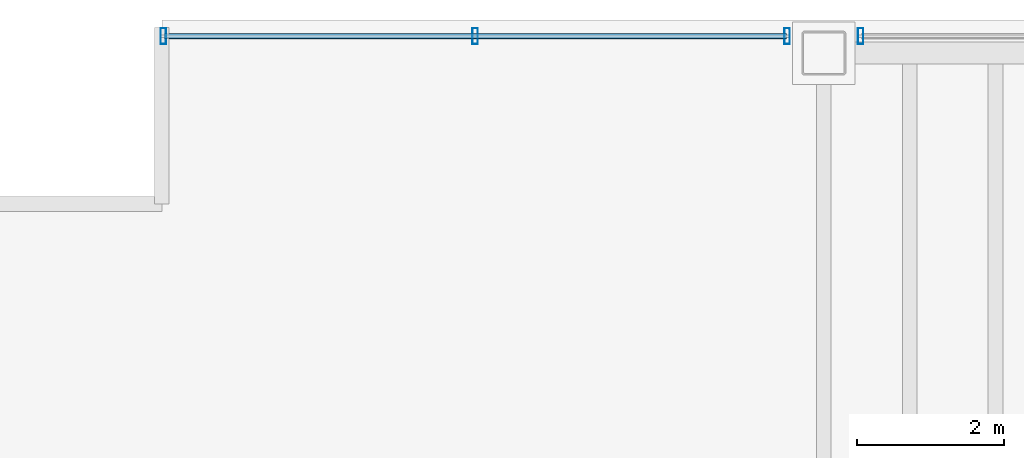
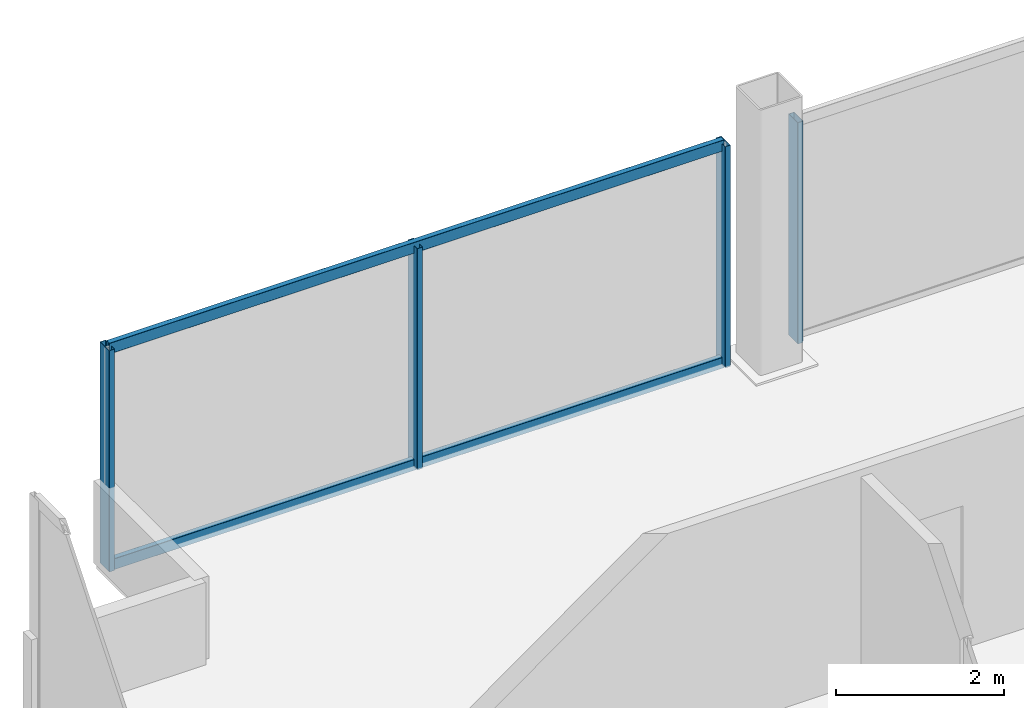
# One storey, part 14 of 21: 6 members, 2 elements without a shape of their own.
"""IFC4 building model written with IfcOpenShell, lengths in metres."""

from ifc_helpers import new_model, si_unit, direction, frame, origin, origin_2d, place, context, subcontext, project, spatial, hollow_rectangle, extrude, material, material_profile, profile_set, type_object, element, aggregate, save


model = new_model("IFC4")

# Units and contexts
model_context = context("Model", 3, precision=1e-05, world=origin(), true_north=direction((0.0, 1.0)))
body_context = subcontext(model_context, "Body", "Model", "MODEL_VIEW")
ifc_project = project(units=[si_unit("LENGTHUNIT", "METRE"), si_unit("AREAUNIT", "SQUARE_METRE"), si_unit("VOLUMEUNIT", "CUBIC_METRE"), si_unit("PLANEANGLEUNIT", "RADIAN"), si_unit("MASSUNIT", "GRAM", prefix="KILO")], contexts=[model_context])

# Site, building, storey
site_placement = place(None, origin())
site = spatial("IfcSite", under=ifc_project, at=site_placement, CompositionType="ELEMENT")
building_placement = place(site_placement, origin())
building = spatial("IfcBuilding", under=site, at=building_placement, Name="Noeulbin Bourse Tower", CompositionType="ELEMENT")
storey_placement = place(building_placement, frame((0.0, 0.0, 42.10009765625)))
storey = spatial("IfcBuildingStorey", under=building, at=storey_placement, Name="L10", CompositionType="ELEMENT", Elevation=42.10009765625)

# Curtain wall, members
ifc_material_1 = material(Name="Dark Solar-Control Double Glazing", Category="glass")
curtain_wall_type = type_object("IfcCurtainWallType", Name="CW-SYS-2", PredefinedType="NOTDEFINED", material=ifc_material_1)
curtain_wall_1_placement = place(storey_placement, origin())
curtain_wall_1 = element("IfcCurtainWall", 1, at=curtain_wall_1_placement, inside=storey, type_object=curtain_wall_type, Name="Unitised Curtain Wall CW-L10-N-S1", PredefinedType="NOTDEFINED")
ifc_material_2 = material(Name="Anodised Aluminium 6063-T6", Category="aluminium")
ifc_material_profile_1 = material_profile(ifc_material_2, hollow_rectangle(XDim=0.074951171875, YDim=0.219970703125, WallThickness=0.0048828125, InnerFilletRadius=0.00244140625, OuterFilletRadius=0.0048828125, at=origin_2d()), Name="ALU-MULL-75x220x5", Category="LoadBearing")
ifc_profile_set_1 = profile_set([ifc_material_profile_1], Name="Anodised Aluminium 6063-T6")
member_type_1 = type_object("IfcMemberType", Name="CW-SYS-2-MUL", PredefinedType="MULLION", material=ifc_profile_set_1)
member_1_placement = place(storey_placement, frame((4.52001953125, 46.780029296875, -0.02001953125), z_axis=(0.0, 0.0, 1.0), x_axis=(1.0, 0.0, 0.0)))
member_1 = element("IfcMember", 2, at=member_1_placement, type_object=member_type_1, Name="Curtain Wall Mullion CW-L10-N-S1-M00", PredefinedType="MULLION", context=body_context, shape_type="SweptSolid", body=[
    extrude(hollow_rectangle(XDim=0.074951171875, YDim=0.219970703125, WallThickness=0.0048828125, InnerFilletRadius=0.00244140625, OuterFilletRadius=0.0048828125, at=origin_2d()), origin(), (0.0, 0.0, 1.0), 3.219970703125),
])
member_2_placement = place(storey_placement, frame((8.760009765625, 46.780029296875, -0.02001953125), z_axis=(0.0, 0.0, 1.0), x_axis=(1.0, 0.0, 0.0)))
member_2 = element("IfcMember", 3, at=member_2_placement, type_object=member_type_1, Name="Curtain Wall Mullion CW-L10-N-S1-M01", PredefinedType="MULLION", context=body_context, shape_type="SweptSolid", body=[
    extrude(hollow_rectangle(XDim=0.074951171875, YDim=0.219970703125, WallThickness=0.0048828125, InnerFilletRadius=0.00244140625, OuterFilletRadius=0.0048828125, at=origin_2d()), origin(), (0.0, 0.0, 1.0), 3.219970703125),
])
member_3_placement = place(storey_placement, frame((13.0, 46.780029296875, -0.02001953125), z_axis=(0.0, 0.0, 1.0), x_axis=(1.0, 0.0, 0.0)))
member_3 = element("IfcMember", 4, at=member_3_placement, type_object=member_type_1, Name="Curtain Wall Mullion CW-L10-N-S1-M02", PredefinedType="MULLION", context=body_context, shape_type="SweptSolid", body=[
    extrude(hollow_rectangle(XDim=0.074951171875, YDim=0.219970703125, WallThickness=0.0048828125, InnerFilletRadius=0.00244140625, OuterFilletRadius=0.0048828125, at=origin_2d()), origin(), (0.0, 0.0, 1.0), 3.219970703125),
])

# Curtain wall, member
curtain_wall_2_placement = place(storey_placement, origin())
curtain_wall_2 = element("IfcCurtainWall", 5, at=curtain_wall_2_placement, inside=storey, type_object=curtain_wall_type, Name="Unitised Curtain Wall CW-L10-N-S2", PredefinedType="NOTDEFINED")
member_4_placement = place(storey_placement, frame((14.0, 46.780029296875, -0.02001953125), z_axis=(0.0, 0.0, 1.0), x_axis=(1.0, 0.0, 0.0)))
member_4 = element("IfcMember", 6, at=member_4_placement, type_object=member_type_1, Name="Curtain Wall Mullion CW-L10-N-S2-M00", PredefinedType="MULLION", context=body_context, shape_type="SweptSolid", body=[
    extrude(hollow_rectangle(XDim=0.074951171875, YDim=0.219970703125, WallThickness=0.0048828125, InnerFilletRadius=0.00244140625, OuterFilletRadius=0.0048828125, at=origin_2d()), origin(), (0.0, 0.0, 1.0), 3.219970703125),
])
aggregate(curtain_wall_2, [member_4])

# Member
ifc_material_profile_2 = material_profile(ifc_material_2, hollow_rectangle(XDim=0.074951171875, YDim=0.159912109375, WallThickness=0.0048828125, InnerFilletRadius=0.00244140625, OuterFilletRadius=0.0048828125, at=origin_2d()), Name="ALU-TRAN-75x160x5", Category="LoadBearing")
ifc_profile_set_2 = profile_set([ifc_material_profile_2], Name="Anodised Aluminium 6063-T6")
member_type_2 = type_object("IfcMemberType", Name="CW-SYS-2-TRN", PredefinedType="USERDEFINED", material=ifc_profile_set_2)
member_5_placement = place(storey_placement, frame((4.530029296875, 46.780029296875, 0.010009765625), z_axis=(1.0, 0.0, 0.0), x_axis=(0.0, 1.0, 0.0)))
member_5 = element("IfcMember", 7, at=member_5_placement, type_object=member_type_2, Name="Curtain Wall Transom CW-L10-N-S1-T00", ObjectType="TRANSOM", PredefinedType="USERDEFINED", context=body_context, shape_type="SweptSolid", body=[
    extrude(hollow_rectangle(XDim=0.074951171875, YDim=0.159912109375, WallThickness=0.0048828125, InnerFilletRadius=0.00244140625, OuterFilletRadius=0.0048828125, at=origin_2d()), origin(), (0.0, 0.0, 1.0), 8.4599609375),
])

member_6_placement = place(storey_placement, frame((4.530029296875, 46.780029296875, 3.169921875), z_axis=(1.0, 0.0, 0.0), x_axis=(0.0, 1.0, 0.0)))
member_6 = element("IfcMember", 8, at=member_6_placement, type_object=member_type_2, Name="Curtain Wall Transom CW-L10-N-S1-T01", ObjectType="TRANSOM", PredefinedType="USERDEFINED", context=body_context, shape_type="SweptSolid", body=[
    extrude(hollow_rectangle(XDim=0.074951171875, YDim=0.159912109375, WallThickness=0.0048828125, InnerFilletRadius=0.00244140625, OuterFilletRadius=0.0048828125, at=origin_2d()), origin(), (0.0, 0.0, 1.0), 8.4599609375),
])

aggregate(curtain_wall_1, [member_1, member_2, member_3, member_5, member_6])

save(model, "model.ifc")
